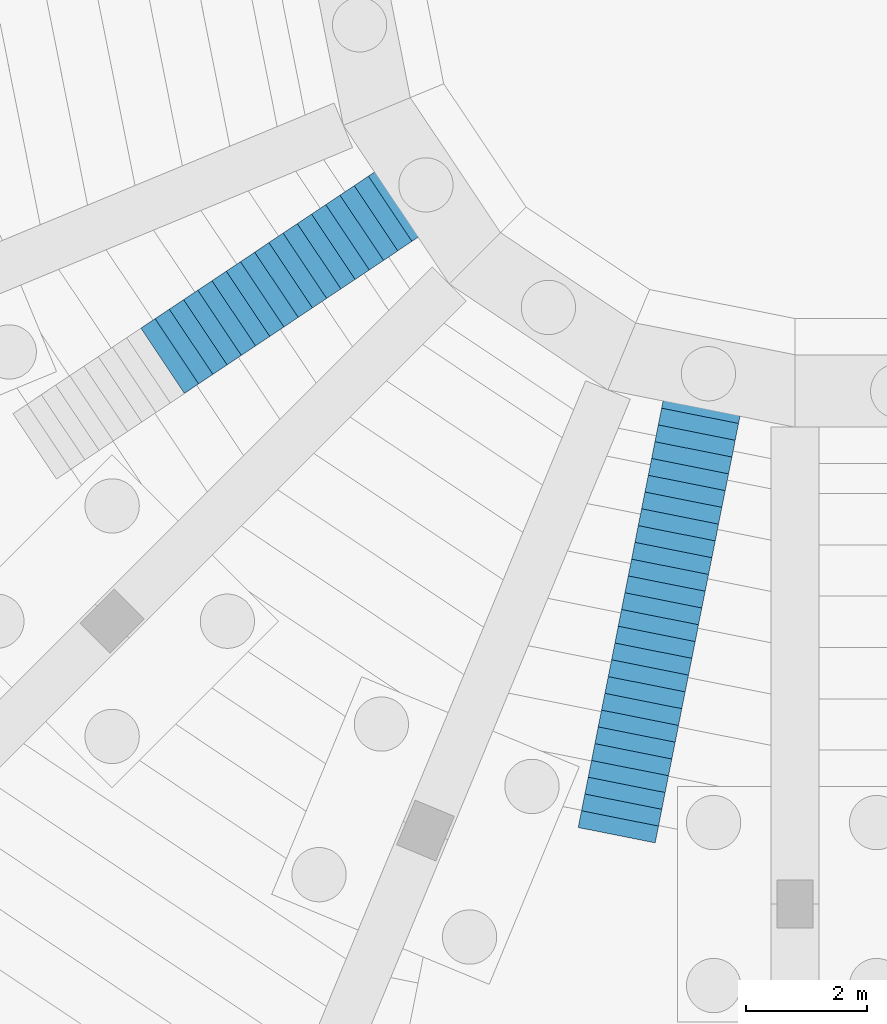
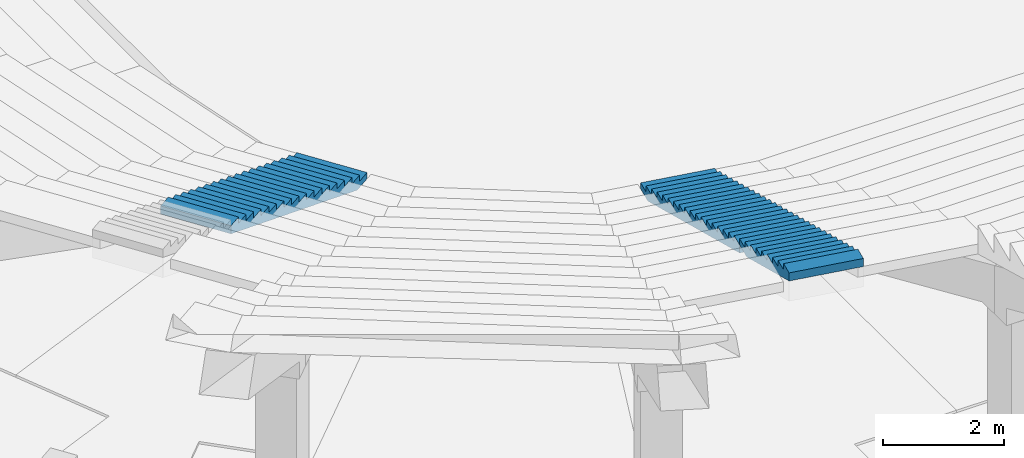
# One storey, part 63 of 115: 3 stair flights, 2 elements without a shape of their own.
"""IFC4 building model written with IfcOpenShell, lengths in metres."""

from ifc_helpers import new_model, si_unit, direction, frame, origin, place, context, subcontext, project, spatial, faceted_brep, material, type_object, element, aggregate, save


model = new_model("IFC4")

# Units and contexts
model_context = context("Model", 3, precision=1e-05, world=origin(), true_north=direction((0.0, 1.0)))
body_context = subcontext(model_context, "Body", "Model", "MODEL_VIEW")
ifc_project = project(units=[si_unit("LENGTHUNIT", "METRE"), si_unit("AREAUNIT", "SQUARE_METRE"), si_unit("VOLUMEUNIT", "CUBIC_METRE"), si_unit("PLANEANGLEUNIT", "RADIAN"), si_unit("MASSUNIT", "GRAM", prefix="KILO")], contexts=[model_context])

# Site, building, storey
site_placement = place(None, origin())
site = spatial("IfcSite", under=ifc_project, at=site_placement, CompositionType="ELEMENT")
building_placement = place(site_placement, origin())
building = spatial("IfcBuilding", under=site, at=building_placement, Name="Ogive Plaza Stadium", CompositionType="ELEMENT")
storey_placement = place(building_placement, frame((0.0, 0.0, -4.5)))
storey = spatial("IfcBuildingStorey", under=building, at=storey_placement, Name="B1", CompositionType="ELEMENT", Elevation=-4.5)

# Stair, stair flights
ifc_material_1 = material(Name="Concrete C40/50", Category="concrete")
stair_type = type_object("IfcStairType", Name="Aisle stair", PredefinedType="STRAIGHT_RUN_STAIR", material=ifc_material_1)
stair_1_placement = place(storey_placement, origin())
stair_1 = element("IfcStair", 1, at=stair_1_placement, inside=storey, type_object=stair_type, Name="Aisle stair SA17D", PredefinedType="STRAIGHT_RUN_STAIR")
ifc_material_2 = material(Name="Concrete C40/50", Category="concrete")
stair_flight_type = type_object("IfcStairFlightType", Name="Aisle stair flight", PredefinedType="STRAIGHT", material=ifc_material_2)
stair_flight_1_placement = place(storey_placement, frame((-35.463134765625, -59.85595703125, 1.125), z_axis=(0.0, 0.0, 1.0), x_axis=(-0.195090322016, -0.980785280403, 0.0)))
stair_flight_1 = element("IfcStairFlight", 2, at=stair_flight_1_placement, type_object=stair_flight_type, Name="SA17D flight 1", NumberOfRisers=18, NumberOfTreads=17, PredefinedType="STRAIGHT", RiserHeight=0.125, TreadLength=0.283333333, context=body_context, shape_type="Brep", body=[
    faceted_brep([(0.371337890625, -0.64990234375, 0.0), (5.10009765625, -0.64990234375, 2.086181640625), (5.10009765625, -0.64990234375, 2.25), (4.816650390625, -0.64990234375, 2.25), (4.816650390625, -0.64990234375, 2.125), (4.533447265625, -0.64990234375, 2.125), (4.533447265625, -0.64990234375, 2.0), (4.25, -0.64990234375, 2.0), (4.25, -0.64990234375, 1.875), (3.966552734375, -0.64990234375, 1.875), (3.966552734375, -0.64990234375, 1.75), (3.683349609375, -0.64990234375, 1.75), (3.683349609375, -0.64990234375, 1.625), (3.39990234375, -0.64990234375, 1.625), (3.39990234375, -0.64990234375, 1.5), (3.11669921875, -0.64990234375, 1.5), (3.11669921875, -0.64990234375, 1.375), (2.833251953125, -0.64990234375, 1.375), (2.833251953125, -0.64990234375, 1.25), (2.550048828125, -0.64990234375, 1.25), (2.550048828125, -0.64990234375, 1.125), (2.2666015625, -0.64990234375, 1.125), (2.2666015625, -0.64990234375, 1.0), (1.9833984375, -0.64990234375, 1.0), (1.9833984375, -0.64990234375, 0.875), (1.699951171875, -0.64990234375, 0.875), (1.699951171875, -0.64990234375, 0.75), (1.416748046875, -0.64990234375, 0.75), (1.416748046875, -0.64990234375, 0.625), (1.13330078125, -0.64990234375, 0.625), (1.13330078125, -0.64990234375, 0.5), (0.85009765625, -0.64990234375, 0.5), (0.85009765625, -0.64990234375, 0.375), (0.566650390625, -0.64990234375, 0.375), (0.566650390625, -0.64990234375, 0.25), (0.283447265625, -0.64990234375, 0.25), (0.283447265625, -0.64990234375, 0.125), (0.0, -0.64990234375, 0.125), (0.0, -0.64990234375, 0.0), (0.0, 0.64990234375, 0.0), (0.0, 0.64990234375, 0.125), (0.283447265625, 0.64990234375, 0.125), (0.283447265625, 0.64990234375, 0.25), (0.566650390625, 0.64990234375, 0.25), (0.566650390625, 0.64990234375, 0.375), (0.85009765625, 0.64990234375, 0.375), (0.85009765625, 0.64990234375, 0.5), (1.13330078125, 0.64990234375, 0.5), (1.13330078125, 0.64990234375, 0.625), (1.416748046875, 0.64990234375, 0.625), (1.416748046875, 0.64990234375, 0.75), (1.699951171875, 0.64990234375, 0.75), (1.699951171875, 0.64990234375, 0.875), (1.9833984375, 0.64990234375, 0.875), (1.9833984375, 0.64990234375, 1.0), (2.2666015625, 0.64990234375, 1.0), (2.2666015625, 0.64990234375, 1.125), (2.550048828125, 0.64990234375, 1.125), (2.550048828125, 0.64990234375, 1.25), (2.833251953125, 0.64990234375, 1.25), (2.833251953125, 0.64990234375, 1.375), (3.11669921875, 0.64990234375, 1.375), (3.11669921875, 0.64990234375, 1.5), (3.39990234375, 0.64990234375, 1.5), (3.39990234375, 0.64990234375, 1.625), (3.683349609375, 0.64990234375, 1.625), (3.683349609375, 0.64990234375, 1.75), (3.966552734375, 0.64990234375, 1.75), (3.966552734375, 0.64990234375, 1.875), (4.25, 0.64990234375, 1.875), (4.25, 0.64990234375, 2.0), (4.533447265625, 0.64990234375, 2.0), (4.533447265625, 0.64990234375, 2.125), (4.816650390625, 0.64990234375, 2.125), (4.816650390625, 0.64990234375, 2.25), (5.10009765625, 0.64990234375, 2.25), (5.10009765625, 0.64990234375, 2.086181640625), (0.371337890625, 0.64990234375, 0.0), (0.371337890625, -0.324951171875, 0.0), (5.10009765625, -0.324951171875, 2.086181640625), (0.371337890625, 0.0, 0.0), (5.10009765625, 0.0, 2.086181640625), (0.371337890625, 0.324951171875, 0.0), (5.10009765625, 0.324951171875, 2.086181640625), (5.10009765625, -0.324951171875, 2.25), (5.10009765625, 0.0, 2.25), (5.10009765625, 0.324951171875, 2.25), (4.816650390625, -0.324951171875, 2.25), (4.816650390625, 0.0, 2.25), (4.816650390625, 0.324951171875, 2.25), (4.816650390625, -0.324951171875, 2.125), (4.816650390625, 0.0, 2.125), (4.816650390625, 0.324951171875, 2.125), (4.533447265625, -0.324951171875, 2.125), (4.533447265625, 0.0, 2.125), (4.533447265625, 0.324951171875, 2.125), (4.533447265625, -0.324951171875, 2.0), (4.533447265625, 0.0, 2.0), (4.533447265625, 0.324951171875, 2.0), (4.25, -0.324951171875, 2.0), (4.25, 0.0, 2.0), (4.25, 0.324951171875, 2.0), (4.25, -0.324951171875, 1.875), (4.25, 0.0, 1.875), (4.25, 0.324951171875, 1.875), (3.966552734375, -0.324951171875, 1.875), (3.966552734375, 0.0, 1.875), (3.966552734375, 0.324951171875, 1.875), (3.966552734375, -0.324951171875, 1.75), (3.966552734375, 0.0, 1.75), (3.966552734375, 0.324951171875, 1.75), (3.683349609375, -0.324951171875, 1.75), (3.683349609375, 0.0, 1.75), (3.683349609375, 0.324951171875, 1.75), (3.683349609375, -0.324951171875, 1.625), (3.683349609375, 0.0, 1.625), (3.683349609375, 0.324951171875, 1.625), (3.39990234375, -0.324951171875, 1.625), (3.39990234375, 0.0, 1.625), (3.39990234375, 0.324951171875, 1.625), (3.39990234375, -0.324951171875, 1.5), (3.39990234375, 0.0, 1.5), (3.39990234375, 0.324951171875, 1.5), (3.11669921875, -0.324951171875, 1.5), (3.11669921875, 0.0, 1.5), (3.11669921875, 0.324951171875, 1.5), (3.11669921875, -0.324951171875, 1.375), (3.11669921875, 0.0, 1.375), (3.11669921875, 0.324951171875, 1.375), (2.833251953125, -0.324951171875, 1.375), (2.833251953125, 0.0, 1.375), (2.833251953125, 0.324951171875, 1.375), (2.833251953125, -0.324951171875, 1.25), (2.833251953125, 0.0, 1.25), (2.833251953125, 0.324951171875, 1.25), (2.550048828125, -0.324951171875, 1.25), (2.550048828125, 0.0, 1.25), (2.550048828125, 0.324951171875, 1.25), (2.550048828125, -0.324951171875, 1.125), (2.550048828125, 0.0, 1.125), (2.550048828125, 0.324951171875, 1.125), (2.2666015625, -0.324951171875, 1.125), (2.2666015625, 0.0, 1.125), (2.2666015625, 0.324951171875, 1.125), (2.2666015625, -0.324951171875, 1.0), (2.2666015625, 0.0, 1.0), (2.2666015625, 0.324951171875, 1.0), (1.9833984375, -0.324951171875, 1.0), (1.9833984375, 0.0, 1.0), (1.9833984375, 0.324951171875, 1.0), (1.9833984375, -0.324951171875, 0.875), (1.9833984375, 0.0, 0.875), (1.9833984375, 0.324951171875, 0.875), (1.699951171875, -0.324951171875, 0.875), (1.699951171875, 0.0, 0.875), (1.699951171875, 0.324951171875, 0.875), (1.699951171875, -0.324951171875, 0.75), (1.699951171875, 0.0, 0.75), (1.699951171875, 0.324951171875, 0.75), (1.416748046875, -0.324951171875, 0.75), (1.416748046875, 0.0, 0.75), (1.416748046875, 0.324951171875, 0.75), (1.416748046875, -0.324951171875, 0.625), (1.416748046875, 0.0, 0.625), (1.416748046875, 0.324951171875, 0.625), (1.13330078125, -0.324951171875, 0.625), (1.13330078125, 0.0, 0.625), (1.13330078125, 0.324951171875, 0.625), (1.13330078125, -0.324951171875, 0.5), (1.13330078125, 0.0, 0.5), (1.13330078125, 0.324951171875, 0.5), (0.85009765625, -0.324951171875, 0.5), (0.85009765625, 0.0, 0.5), (0.85009765625, 0.324951171875, 0.5), (0.85009765625, -0.324951171875, 0.375), (0.85009765625, 0.0, 0.375), (0.85009765625, 0.324951171875, 0.375), (0.566650390625, -0.324951171875, 0.375), (0.566650390625, 0.0, 0.375), (0.566650390625, 0.324951171875, 0.375), (0.566650390625, -0.324951171875, 0.25), (0.566650390625, 0.0, 0.25), (0.566650390625, 0.324951171875, 0.25), (0.283447265625, -0.324951171875, 0.25), (0.283447265625, 0.0, 0.25), (0.283447265625, 0.324951171875, 0.25), (0.283447265625, -0.324951171875, 0.125), (0.283447265625, 0.0, 0.125), (0.283447265625, 0.324951171875, 0.125), (0.0, -0.324951171875, 0.125), (0.0, 0.0, 0.125), (0.0, 0.324951171875, 0.125), (0.0, -0.324951171875, 0.0), (0.0, 0.0, 0.0), (0.0, 0.324951171875, 0.0)], [[[0, 1, 2, 3, 4, 5, 6, 7, 8, 9, 10, 11, 12, 13, 14, 15, 16, 17, 18, 19, 20, 21, 22, 23, 24, 25, 26, 27, 28, 29, 30, 31, 32, 33, 34, 35, 36, 37, 38]], [[39, 40, 41, 42, 43, 44, 45, 46, 47, 48, 49, 50, 51, 52, 53, 54, 55, 56, 57, 58, 59, 60, 61, 62, 63, 64, 65, 66, 67, 68, 69, 70, 71, 72, 73, 74, 75, 76, 77]], [[0, 78, 79, 1]], [[78, 80, 81, 79]], [[80, 82, 83, 81]], [[82, 77, 76, 83]], [[1, 79, 84, 2]], [[79, 81, 85, 84]], [[81, 83, 86, 85]], [[83, 76, 75, 86]], [[2, 84, 87, 3]], [[84, 85, 88, 87]], [[85, 86, 89, 88]], [[86, 75, 74, 89]], [[3, 87, 90, 4]], [[87, 88, 91, 90]], [[88, 89, 92, 91]], [[89, 74, 73, 92]], [[4, 90, 93, 5]], [[90, 91, 94, 93]], [[91, 92, 95, 94]], [[92, 73, 72, 95]], [[5, 93, 96, 6]], [[93, 94, 97, 96]], [[94, 95, 98, 97]], [[95, 72, 71, 98]], [[6, 96, 99, 7]], [[96, 97, 100, 99]], [[97, 98, 101, 100]], [[98, 71, 70, 101]], [[7, 99, 102, 8]], [[99, 100, 103, 102]], [[100, 101, 104, 103]], [[101, 70, 69, 104]], [[8, 102, 105, 9]], [[102, 103, 106, 105]], [[103, 104, 107, 106]], [[104, 69, 68, 107]], [[9, 105, 108, 10]], [[105, 106, 109, 108]], [[106, 107, 110, 109]], [[107, 68, 67, 110]], [[10, 108, 111, 11]], [[108, 109, 112, 111]], [[109, 110, 113, 112]], [[110, 67, 66, 113]], [[11, 111, 114, 12]], [[111, 112, 115, 114]], [[112, 113, 116, 115]], [[113, 66, 65, 116]], [[12, 114, 117, 13]], [[114, 115, 118, 117]], [[115, 116, 119, 118]], [[116, 65, 64, 119]], [[13, 117, 120, 14]], [[117, 118, 121, 120]], [[118, 119, 122, 121]], [[119, 64, 63, 122]], [[14, 120, 123, 15]], [[120, 121, 124, 123]], [[121, 122, 125, 124]], [[122, 63, 62, 125]], [[15, 123, 126, 16]], [[123, 124, 127, 126]], [[124, 125, 128, 127]], [[125, 62, 61, 128]], [[16, 126, 129, 17]], [[126, 127, 130, 129]], [[127, 128, 131, 130]], [[128, 61, 60, 131]], [[17, 129, 132, 18]], [[129, 130, 133, 132]], [[130, 131, 134, 133]], [[131, 60, 59, 134]], [[18, 132, 135, 19]], [[132, 133, 136, 135]], [[133, 134, 137, 136]], [[134, 59, 58, 137]], [[19, 135, 138, 20]], [[135, 136, 139, 138]], [[136, 137, 140, 139]], [[137, 58, 57, 140]], [[20, 138, 141, 21]], [[138, 139, 142, 141]], [[139, 140, 143, 142]], [[140, 57, 56, 143]], [[21, 141, 144, 22]], [[141, 142, 145, 144]], [[142, 143, 146, 145]], [[143, 56, 55, 146]], [[22, 144, 147, 23]], [[144, 145, 148, 147]], [[145, 146, 149, 148]], [[146, 55, 54, 149]], [[23, 147, 150, 24]], [[147, 148, 151, 150]], [[148, 149, 152, 151]], [[149, 54, 53, 152]], [[24, 150, 153, 25]], [[150, 151, 154, 153]], [[151, 152, 155, 154]], [[152, 53, 52, 155]], [[25, 153, 156, 26]], [[153, 154, 157, 156]], [[154, 155, 158, 157]], [[155, 52, 51, 158]], [[26, 156, 159, 27]], [[156, 157, 160, 159]], [[157, 158, 161, 160]], [[158, 51, 50, 161]], [[27, 159, 162, 28]], [[159, 160, 163, 162]], [[160, 161, 164, 163]], [[161, 50, 49, 164]], [[28, 162, 165, 29]], [[162, 163, 166, 165]], [[163, 164, 167, 166]], [[164, 49, 48, 167]], [[29, 165, 168, 30]], [[165, 166, 169, 168]], [[166, 167, 170, 169]], [[167, 48, 47, 170]], [[30, 168, 171, 31]], [[168, 169, 172, 171]], [[169, 170, 173, 172]], [[170, 47, 46, 173]], [[31, 171, 174, 32]], [[171, 172, 175, 174]], [[172, 173, 176, 175]], [[173, 46, 45, 176]], [[32, 174, 177, 33]], [[174, 175, 178, 177]], [[175, 176, 179, 178]], [[176, 45, 44, 179]], [[33, 177, 180, 34]], [[177, 178, 181, 180]], [[178, 179, 182, 181]], [[179, 44, 43, 182]], [[34, 180, 183, 35]], [[180, 181, 184, 183]], [[181, 182, 185, 184]], [[182, 43, 42, 185]], [[35, 183, 186, 36]], [[183, 184, 187, 186]], [[184, 185, 188, 187]], [[185, 42, 41, 188]], [[36, 186, 189, 37]], [[186, 187, 190, 189]], [[187, 188, 191, 190]], [[188, 41, 40, 191]], [[37, 189, 192, 38]], [[189, 190, 193, 192]], [[190, 191, 194, 193]], [[191, 40, 39, 194]], [[38, 192, 78, 0]], [[192, 193, 80, 78]], [[193, 194, 82, 80]], [[194, 39, 77, 82]]]),
])
stair_flight_2_placement = place(storey_placement, frame((-36.458251953125, -64.85791015625, 3.375), z_axis=(0.0, 0.0, 1.0), x_axis=(-0.195090322016, -0.980785280403, 0.0)))
stair_flight_2 = element("IfcStairFlight", 3, at=stair_flight_2_placement, type_object=stair_flight_type, Name="SA17D flight 2", NumberOfRisers=9, NumberOfTreads=8, PredefinedType="STRAIGHT", RiserHeight=0.125, TreadLength=0.283333333, context=body_context, shape_type="Brep", body=[
    faceted_brep([(0.371337890625, -0.64990234375, 0.0), (2.550048828125, -0.64990234375, 0.961181640625), (2.550048828125, -0.64990234375, 1.125), (2.2666015625, -0.64990234375, 1.125), (2.2666015625, -0.64990234375, 1.0), (1.9833984375, -0.64990234375, 1.0), (1.9833984375, -0.64990234375, 0.875), (1.699951171875, -0.64990234375, 0.875), (1.699951171875, -0.64990234375, 0.75), (1.416748046875, -0.64990234375, 0.75), (1.416748046875, -0.64990234375, 0.625), (1.13330078125, -0.64990234375, 0.625), (1.13330078125, -0.64990234375, 0.5), (0.85009765625, -0.64990234375, 0.5), (0.85009765625, -0.64990234375, 0.375), (0.566650390625, -0.64990234375, 0.375), (0.566650390625, -0.64990234375, 0.25), (0.283447265625, -0.64990234375, 0.25), (0.283447265625, -0.64990234375, 0.125), (0.0, -0.64990234375, 0.125), (0.0, -0.64990234375, 0.0), (0.0, 0.64990234375, 0.0), (0.0, 0.64990234375, 0.125), (0.283447265625, 0.64990234375, 0.125), (0.283447265625, 0.64990234375, 0.25), (0.566650390625, 0.64990234375, 0.25), (0.566650390625, 0.64990234375, 0.375), (0.85009765625, 0.64990234375, 0.375), (0.85009765625, 0.64990234375, 0.5), (1.13330078125, 0.64990234375, 0.5), (1.13330078125, 0.64990234375, 0.625), (1.416748046875, 0.64990234375, 0.625), (1.416748046875, 0.64990234375, 0.75), (1.699951171875, 0.64990234375, 0.75), (1.699951171875, 0.64990234375, 0.875), (1.9833984375, 0.64990234375, 0.875), (1.9833984375, 0.64990234375, 1.0), (2.2666015625, 0.64990234375, 1.0), (2.2666015625, 0.64990234375, 1.125), (2.550048828125, 0.64990234375, 1.125), (2.550048828125, 0.64990234375, 0.961181640625), (0.371337890625, 0.64990234375, 0.0), (0.371337890625, -0.324951171875, 0.0), (2.550048828125, -0.324951171875, 0.961181640625), (0.371337890625, 0.0, 0.0), (2.550048828125, 0.0, 0.961181640625), (0.371337890625, 0.324951171875, 0.0), (2.550048828125, 0.324951171875, 0.961181640625), (2.550048828125, -0.324951171875, 1.125), (2.550048828125, 0.0, 1.125), (2.550048828125, 0.324951171875, 1.125), (2.2666015625, -0.324951171875, 1.125), (2.2666015625, 0.0, 1.125), (2.2666015625, 0.324951171875, 1.125), (2.2666015625, -0.324951171875, 1.0), (2.2666015625, 0.0, 1.0), (2.2666015625, 0.324951171875, 1.0), (1.9833984375, -0.324951171875, 1.0), (1.9833984375, 0.0, 1.0), (1.9833984375, 0.324951171875, 1.0), (1.9833984375, -0.324951171875, 0.875), (1.9833984375, 0.0, 0.875), (1.9833984375, 0.324951171875, 0.875), (1.699951171875, -0.324951171875, 0.875), (1.699951171875, 0.0, 0.875), (1.699951171875, 0.324951171875, 0.875), (1.699951171875, -0.324951171875, 0.75), (1.699951171875, 0.0, 0.75), (1.699951171875, 0.324951171875, 0.75), (1.416748046875, -0.324951171875, 0.75), (1.416748046875, 0.0, 0.75), (1.416748046875, 0.324951171875, 0.75), (1.416748046875, -0.324951171875, 0.625), (1.416748046875, 0.0, 0.625), (1.416748046875, 0.324951171875, 0.625), (1.13330078125, -0.324951171875, 0.625), (1.13330078125, 0.0, 0.625), (1.13330078125, 0.324951171875, 0.625), (1.13330078125, -0.324951171875, 0.5), (1.13330078125, 0.0, 0.5), (1.13330078125, 0.324951171875, 0.5), (0.85009765625, -0.324951171875, 0.5), (0.85009765625, 0.0, 0.5), (0.85009765625, 0.324951171875, 0.5), (0.85009765625, -0.324951171875, 0.375), (0.85009765625, 0.0, 0.375), (0.85009765625, 0.324951171875, 0.375), (0.566650390625, -0.324951171875, 0.375), (0.566650390625, 0.0, 0.375), (0.566650390625, 0.324951171875, 0.375), (0.566650390625, -0.324951171875, 0.25), (0.566650390625, 0.0, 0.25), (0.566650390625, 0.324951171875, 0.25), (0.283447265625, -0.324951171875, 0.25), (0.283447265625, 0.0, 0.25), (0.283447265625, 0.324951171875, 0.25), (0.283447265625, -0.324951171875, 0.125), (0.283447265625, 0.0, 0.125), (0.283447265625, 0.324951171875, 0.125), (0.0, -0.324951171875, 0.125), (0.0, 0.0, 0.125), (0.0, 0.324951171875, 0.125), (0.0, -0.324951171875, 0.0), (0.0, 0.0, 0.0), (0.0, 0.324951171875, 0.0)], [[[0, 1, 2, 3, 4, 5, 6, 7, 8, 9, 10, 11, 12, 13, 14, 15, 16, 17, 18, 19, 20]], [[21, 22, 23, 24, 25, 26, 27, 28, 29, 30, 31, 32, 33, 34, 35, 36, 37, 38, 39, 40, 41]], [[0, 42, 43, 1]], [[42, 44, 45, 43]], [[44, 46, 47, 45]], [[46, 41, 40, 47]], [[1, 43, 48, 2]], [[43, 45, 49, 48]], [[45, 47, 50, 49]], [[47, 40, 39, 50]], [[2, 48, 51, 3]], [[48, 49, 52, 51]], [[49, 50, 53, 52]], [[50, 39, 38, 53]], [[3, 51, 54, 4]], [[51, 52, 55, 54]], [[52, 53, 56, 55]], [[53, 38, 37, 56]], [[4, 54, 57, 5]], [[54, 55, 58, 57]], [[55, 56, 59, 58]], [[56, 37, 36, 59]], [[5, 57, 60, 6]], [[57, 58, 61, 60]], [[58, 59, 62, 61]], [[59, 36, 35, 62]], [[6, 60, 63, 7]], [[60, 61, 64, 63]], [[61, 62, 65, 64]], [[62, 35, 34, 65]], [[7, 63, 66, 8]], [[63, 64, 67, 66]], [[64, 65, 68, 67]], [[65, 34, 33, 68]], [[8, 66, 69, 9]], [[66, 67, 70, 69]], [[67, 68, 71, 70]], [[68, 33, 32, 71]], [[9, 69, 72, 10]], [[69, 70, 73, 72]], [[70, 71, 74, 73]], [[71, 32, 31, 74]], [[10, 72, 75, 11]], [[72, 73, 76, 75]], [[73, 74, 77, 76]], [[74, 31, 30, 77]], [[11, 75, 78, 12]], [[75, 76, 79, 78]], [[76, 77, 80, 79]], [[77, 30, 29, 80]], [[12, 78, 81, 13]], [[78, 79, 82, 81]], [[79, 80, 83, 82]], [[80, 29, 28, 83]], [[13, 81, 84, 14]], [[81, 82, 85, 84]], [[82, 83, 86, 85]], [[83, 28, 27, 86]], [[14, 84, 87, 15]], [[84, 85, 88, 87]], [[85, 86, 89, 88]], [[86, 27, 26, 89]], [[15, 87, 90, 16]], [[87, 88, 91, 90]], [[88, 89, 92, 91]], [[89, 26, 25, 92]], [[16, 90, 93, 17]], [[90, 91, 94, 93]], [[91, 92, 95, 94]], [[92, 25, 24, 95]], [[17, 93, 96, 18]], [[93, 94, 97, 96]], [[94, 95, 98, 97]], [[95, 24, 23, 98]], [[18, 96, 99, 19]], [[96, 97, 100, 99]], [[97, 98, 101, 100]], [[98, 23, 22, 101]], [[19, 99, 102, 20]], [[99, 100, 103, 102]], [[100, 101, 104, 103]], [[101, 22, 21, 104]], [[20, 102, 42, 0]], [[102, 103, 44, 42]], [[103, 104, 46, 44]], [[104, 21, 41, 46]]]),
])
aggregate(stair_1, [stair_flight_1, stair_flight_2])

# Stair, stair flight
stair_2_placement = place(storey_placement, origin())
stair_2 = element("IfcStair", 4, at=stair_2_placement, inside=storey, type_object=stair_type, Name="Aisle stair SA19D", PredefinedType="STRAIGHT_RUN_STAIR")
stair_flight_3_placement = place(storey_placement, frame((-40.236083984375, -56.666748046875, 1.125), z_axis=(0.0, 0.0, 1.0), x_axis=(-0.831469612303, -0.55557023302, 0.0)))
stair_flight_3 = element("IfcStairFlight", 5, at=stair_flight_3_placement, type_object=stair_flight_type, Name="SA19D flight 1", NumberOfRisers=18, NumberOfTreads=17, PredefinedType="STRAIGHT", RiserHeight=0.125, TreadLength=0.283333333, context=body_context, shape_type="Brep", body=[
    faceted_brep([(0.371337890625, -0.64990234375, 0.0), (5.10009765625, -0.64990234375, 2.086181640625), (5.10009765625, -0.64990234375, 2.25), (4.816650390625, -0.64990234375, 2.25), (4.816650390625, -0.64990234375, 2.125), (4.533447265625, -0.64990234375, 2.125), (4.533447265625, -0.64990234375, 2.0), (4.25, -0.64990234375, 2.0), (4.25, -0.64990234375, 1.875), (3.966552734375, -0.64990234375, 1.875), (3.966552734375, -0.64990234375, 1.75), (3.683349609375, -0.64990234375, 1.75), (3.683349609375, -0.64990234375, 1.625), (3.39990234375, -0.64990234375, 1.625), (3.39990234375, -0.64990234375, 1.5), (3.11669921875, -0.64990234375, 1.5), (3.11669921875, -0.64990234375, 1.375), (2.833251953125, -0.64990234375, 1.375), (2.833251953125, -0.64990234375, 1.25), (2.550048828125, -0.64990234375, 1.25), (2.550048828125, -0.64990234375, 1.125), (2.2666015625, -0.64990234375, 1.125), (2.2666015625, -0.64990234375, 1.0), (1.9833984375, -0.64990234375, 1.0), (1.9833984375, -0.64990234375, 0.875), (1.699951171875, -0.64990234375, 0.875), (1.699951171875, -0.64990234375, 0.75), (1.416748046875, -0.64990234375, 0.75), (1.416748046875, -0.64990234375, 0.625), (1.13330078125, -0.64990234375, 0.625), (1.13330078125, -0.64990234375, 0.5), (0.85009765625, -0.64990234375, 0.5), (0.85009765625, -0.64990234375, 0.375), (0.566650390625, -0.64990234375, 0.375), (0.566650390625, -0.64990234375, 0.25), (0.283447265625, -0.64990234375, 0.25), (0.283447265625, -0.64990234375, 0.125), (0.0, -0.64990234375, 0.125), (0.0, -0.64990234375, 0.0), (0.0, 0.64990234375, 0.0), (0.0, 0.64990234375, 0.125), (0.283447265625, 0.64990234375, 0.125), (0.283447265625, 0.64990234375, 0.25), (0.566650390625, 0.64990234375, 0.25), (0.566650390625, 0.64990234375, 0.375), (0.85009765625, 0.64990234375, 0.375), (0.85009765625, 0.64990234375, 0.5), (1.13330078125, 0.64990234375, 0.5), (1.13330078125, 0.64990234375, 0.625), (1.416748046875, 0.64990234375, 0.625), (1.416748046875, 0.64990234375, 0.75), (1.699951171875, 0.64990234375, 0.75), (1.699951171875, 0.64990234375, 0.875), (1.9833984375, 0.64990234375, 0.875), (1.9833984375, 0.64990234375, 1.0), (2.2666015625, 0.64990234375, 1.0), (2.2666015625, 0.64990234375, 1.125), (2.550048828125, 0.64990234375, 1.125), (2.550048828125, 0.64990234375, 1.25), (2.833251953125, 0.64990234375, 1.25), (2.833251953125, 0.64990234375, 1.375), (3.11669921875, 0.64990234375, 1.375), (3.11669921875, 0.64990234375, 1.5), (3.39990234375, 0.64990234375, 1.5), (3.39990234375, 0.64990234375, 1.625), (3.683349609375, 0.64990234375, 1.625), (3.683349609375, 0.64990234375, 1.75), (3.966552734375, 0.64990234375, 1.75), (3.966552734375, 0.64990234375, 1.875), (4.25, 0.64990234375, 1.875), (4.25, 0.64990234375, 2.0), (4.533447265625, 0.64990234375, 2.0), (4.533447265625, 0.64990234375, 2.125), (4.816650390625, 0.64990234375, 2.125), (4.816650390625, 0.64990234375, 2.25), (5.10009765625, 0.64990234375, 2.25), (5.10009765625, 0.64990234375, 2.086181640625), (0.371337890625, 0.64990234375, 0.0), (0.371337890625, -0.324951171875, 0.0), (5.10009765625, -0.324951171875, 2.086181640625), (0.371337890625, 0.0, 0.0), (5.10009765625, 0.0, 2.086181640625), (0.371337890625, 0.324951171875, 0.0), (5.10009765625, 0.324951171875, 2.086181640625), (5.10009765625, -0.324951171875, 2.25), (5.10009765625, 0.0, 2.25), (5.10009765625, 0.324951171875, 2.25), (4.816650390625, -0.324951171875, 2.25), (4.816650390625, 0.0, 2.25), (4.816650390625, 0.324951171875, 2.25), (4.816650390625, -0.324951171875, 2.125), (4.816650390625, 0.0, 2.125), (4.816650390625, 0.324951171875, 2.125), (4.533447265625, -0.324951171875, 2.125), (4.533447265625, 0.0, 2.125), (4.533447265625, 0.324951171875, 2.125), (4.533447265625, -0.324951171875, 2.0), (4.533447265625, 0.0, 2.0), (4.533447265625, 0.324951171875, 2.0), (4.25, -0.324951171875, 2.0), (4.25, 0.0, 2.0), (4.25, 0.324951171875, 2.0), (4.25, -0.324951171875, 1.875), (4.25, 0.0, 1.875), (4.25, 0.324951171875, 1.875), (3.966552734375, -0.324951171875, 1.875), (3.966552734375, 0.0, 1.875), (3.966552734375, 0.324951171875, 1.875), (3.966552734375, -0.324951171875, 1.75), (3.966552734375, 0.0, 1.75), (3.966552734375, 0.324951171875, 1.75), (3.683349609375, -0.324951171875, 1.75), (3.683349609375, 0.0, 1.75), (3.683349609375, 0.324951171875, 1.75), (3.683349609375, -0.324951171875, 1.625), (3.683349609375, 0.0, 1.625), (3.683349609375, 0.324951171875, 1.625), (3.39990234375, -0.324951171875, 1.625), (3.39990234375, 0.0, 1.625), (3.39990234375, 0.324951171875, 1.625), (3.39990234375, -0.324951171875, 1.5), (3.39990234375, 0.0, 1.5), (3.39990234375, 0.324951171875, 1.5), (3.11669921875, -0.324951171875, 1.5), (3.11669921875, 0.0, 1.5), (3.11669921875, 0.324951171875, 1.5), (3.11669921875, -0.324951171875, 1.375), (3.11669921875, 0.0, 1.375), (3.11669921875, 0.324951171875, 1.375), (2.833251953125, -0.324951171875, 1.375), (2.833251953125, 0.0, 1.375), (2.833251953125, 0.324951171875, 1.375), (2.833251953125, -0.324951171875, 1.25), (2.833251953125, 0.0, 1.25), (2.833251953125, 0.324951171875, 1.25), (2.550048828125, -0.324951171875, 1.25), (2.550048828125, 0.0, 1.25), (2.550048828125, 0.324951171875, 1.25), (2.550048828125, -0.324951171875, 1.125), (2.550048828125, 0.0, 1.125), (2.550048828125, 0.324951171875, 1.125), (2.2666015625, -0.324951171875, 1.125), (2.2666015625, 0.0, 1.125), (2.2666015625, 0.324951171875, 1.125), (2.2666015625, -0.324951171875, 1.0), (2.2666015625, 0.0, 1.0), (2.2666015625, 0.324951171875, 1.0), (1.9833984375, -0.324951171875, 1.0), (1.9833984375, 0.0, 1.0), (1.9833984375, 0.324951171875, 1.0), (1.9833984375, -0.324951171875, 0.875), (1.9833984375, 0.0, 0.875), (1.9833984375, 0.324951171875, 0.875), (1.699951171875, -0.324951171875, 0.875), (1.699951171875, 0.0, 0.875), (1.699951171875, 0.324951171875, 0.875), (1.699951171875, -0.324951171875, 0.75), (1.699951171875, 0.0, 0.75), (1.699951171875, 0.324951171875, 0.75), (1.416748046875, -0.324951171875, 0.75), (1.416748046875, 0.0, 0.75), (1.416748046875, 0.324951171875, 0.75), (1.416748046875, -0.324951171875, 0.625), (1.416748046875, 0.0, 0.625), (1.416748046875, 0.324951171875, 0.625), (1.13330078125, -0.324951171875, 0.625), (1.13330078125, 0.0, 0.625), (1.13330078125, 0.324951171875, 0.625), (1.13330078125, -0.324951171875, 0.5), (1.13330078125, 0.0, 0.5), (1.13330078125, 0.324951171875, 0.5), (0.85009765625, -0.324951171875, 0.5), (0.85009765625, 0.0, 0.5), (0.85009765625, 0.324951171875, 0.5), (0.85009765625, -0.324951171875, 0.375), (0.85009765625, 0.0, 0.375), (0.85009765625, 0.324951171875, 0.375), (0.566650390625, -0.324951171875, 0.375), (0.566650390625, 0.0, 0.375), (0.566650390625, 0.324951171875, 0.375), (0.566650390625, -0.324951171875, 0.25), (0.566650390625, 0.0, 0.25), (0.566650390625, 0.324951171875, 0.25), (0.283447265625, -0.324951171875, 0.25), (0.283447265625, 0.0, 0.25), (0.283447265625, 0.324951171875, 0.25), (0.283447265625, -0.324951171875, 0.125), (0.283447265625, 0.0, 0.125), (0.283447265625, 0.324951171875, 0.125), (0.0, -0.324951171875, 0.125), (0.0, 0.0, 0.125), (0.0, 0.324951171875, 0.125), (0.0, -0.324951171875, 0.0), (0.0, 0.0, 0.0), (0.0, 0.324951171875, 0.0)], [[[0, 1, 2, 3, 4, 5, 6, 7, 8, 9, 10, 11, 12, 13, 14, 15, 16, 17, 18, 19, 20, 21, 22, 23, 24, 25, 26, 27, 28, 29, 30, 31, 32, 33, 34, 35, 36, 37, 38]], [[39, 40, 41, 42, 43, 44, 45, 46, 47, 48, 49, 50, 51, 52, 53, 54, 55, 56, 57, 58, 59, 60, 61, 62, 63, 64, 65, 66, 67, 68, 69, 70, 71, 72, 73, 74, 75, 76, 77]], [[0, 78, 79, 1]], [[78, 80, 81, 79]], [[80, 82, 83, 81]], [[82, 77, 76, 83]], [[1, 79, 84, 2]], [[79, 81, 85, 84]], [[81, 83, 86, 85]], [[83, 76, 75, 86]], [[2, 84, 87, 3]], [[84, 85, 88, 87]], [[85, 86, 89, 88]], [[86, 75, 74, 89]], [[3, 87, 90, 4]], [[87, 88, 91, 90]], [[88, 89, 92, 91]], [[89, 74, 73, 92]], [[4, 90, 93, 5]], [[90, 91, 94, 93]], [[91, 92, 95, 94]], [[92, 73, 72, 95]], [[5, 93, 96, 6]], [[93, 94, 97, 96]], [[94, 95, 98, 97]], [[95, 72, 71, 98]], [[6, 96, 99, 7]], [[96, 97, 100, 99]], [[97, 98, 101, 100]], [[98, 71, 70, 101]], [[7, 99, 102, 8]], [[99, 100, 103, 102]], [[100, 101, 104, 103]], [[101, 70, 69, 104]], [[8, 102, 105, 9]], [[102, 103, 106, 105]], [[103, 104, 107, 106]], [[104, 69, 68, 107]], [[9, 105, 108, 10]], [[105, 106, 109, 108]], [[106, 107, 110, 109]], [[107, 68, 67, 110]], [[10, 108, 111, 11]], [[108, 109, 112, 111]], [[109, 110, 113, 112]], [[110, 67, 66, 113]], [[11, 111, 114, 12]], [[111, 112, 115, 114]], [[112, 113, 116, 115]], [[113, 66, 65, 116]], [[12, 114, 117, 13]], [[114, 115, 118, 117]], [[115, 116, 119, 118]], [[116, 65, 64, 119]], [[13, 117, 120, 14]], [[117, 118, 121, 120]], [[118, 119, 122, 121]], [[119, 64, 63, 122]], [[14, 120, 123, 15]], [[120, 121, 124, 123]], [[121, 122, 125, 124]], [[122, 63, 62, 125]], [[15, 123, 126, 16]], [[123, 124, 127, 126]], [[124, 125, 128, 127]], [[125, 62, 61, 128]], [[16, 126, 129, 17]], [[126, 127, 130, 129]], [[127, 128, 131, 130]], [[128, 61, 60, 131]], [[17, 129, 132, 18]], [[129, 130, 133, 132]], [[130, 131, 134, 133]], [[131, 60, 59, 134]], [[18, 132, 135, 19]], [[132, 133, 136, 135]], [[133, 134, 137, 136]], [[134, 59, 58, 137]], [[19, 135, 138, 20]], [[135, 136, 139, 138]], [[136, 137, 140, 139]], [[137, 58, 57, 140]], [[20, 138, 141, 21]], [[138, 139, 142, 141]], [[139, 140, 143, 142]], [[140, 57, 56, 143]], [[21, 141, 144, 22]], [[141, 142, 145, 144]], [[142, 143, 146, 145]], [[143, 56, 55, 146]], [[22, 144, 147, 23]], [[144, 145, 148, 147]], [[145, 146, 149, 148]], [[146, 55, 54, 149]], [[23, 147, 150, 24]], [[147, 148, 151, 150]], [[148, 149, 152, 151]], [[149, 54, 53, 152]], [[24, 150, 153, 25]], [[150, 151, 154, 153]], [[151, 152, 155, 154]], [[152, 53, 52, 155]], [[25, 153, 156, 26]], [[153, 154, 157, 156]], [[154, 155, 158, 157]], [[155, 52, 51, 158]], [[26, 156, 159, 27]], [[156, 157, 160, 159]], [[157, 158, 161, 160]], [[158, 51, 50, 161]], [[27, 159, 162, 28]], [[159, 160, 163, 162]], [[160, 161, 164, 163]], [[161, 50, 49, 164]], [[28, 162, 165, 29]], [[162, 163, 166, 165]], [[163, 164, 167, 166]], [[164, 49, 48, 167]], [[29, 165, 168, 30]], [[165, 166, 169, 168]], [[166, 167, 170, 169]], [[167, 48, 47, 170]], [[30, 168, 171, 31]], [[168, 169, 172, 171]], [[169, 170, 173, 172]], [[170, 47, 46, 173]], [[31, 171, 174, 32]], [[171, 172, 175, 174]], [[172, 173, 176, 175]], [[173, 46, 45, 176]], [[32, 174, 177, 33]], [[174, 175, 178, 177]], [[175, 176, 179, 178]], [[176, 45, 44, 179]], [[33, 177, 180, 34]], [[177, 178, 181, 180]], [[178, 179, 182, 181]], [[179, 44, 43, 182]], [[34, 180, 183, 35]], [[180, 181, 184, 183]], [[181, 182, 185, 184]], [[182, 43, 42, 185]], [[35, 183, 186, 36]], [[183, 184, 187, 186]], [[184, 185, 188, 187]], [[185, 42, 41, 188]], [[36, 186, 189, 37]], [[186, 187, 190, 189]], [[187, 188, 191, 190]], [[188, 41, 40, 191]], [[37, 189, 192, 38]], [[189, 190, 193, 192]], [[190, 191, 194, 193]], [[191, 40, 39, 194]], [[38, 192, 78, 0]], [[192, 193, 80, 78]], [[193, 194, 82, 80]], [[194, 39, 77, 82]]]),
])
aggregate(stair_2, [stair_flight_3])

save(model, "model.ifc")
